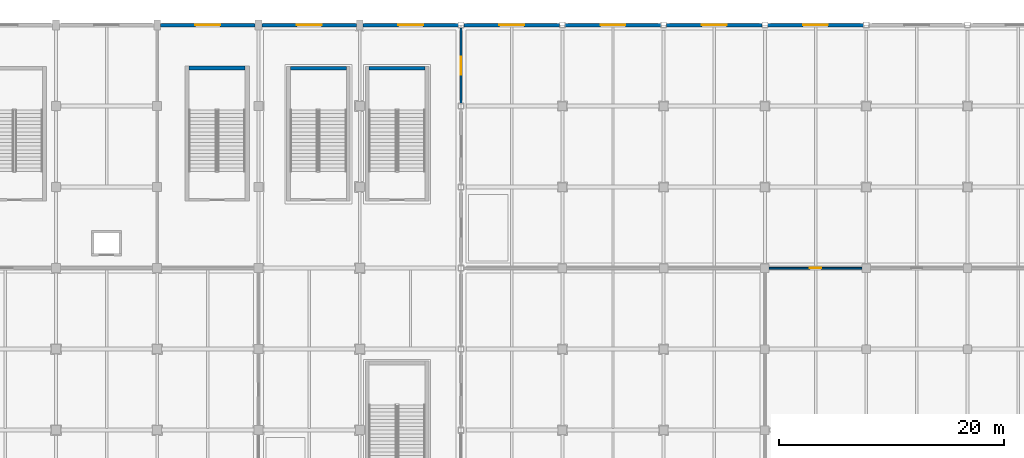
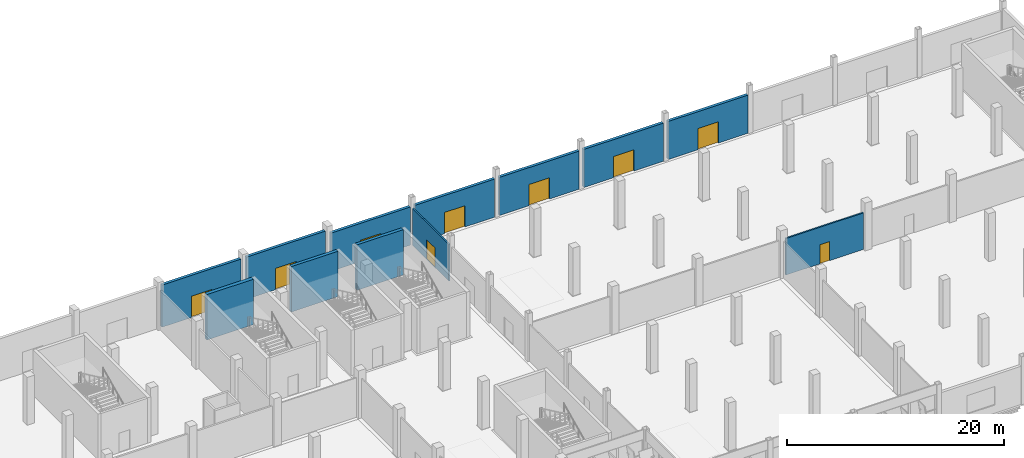
# One storey, part 99 of 137: 12 walls, 9 doors, 9 openings.
"""IFC4 building model written with IfcOpenShell, lengths in metres."""

from ifc_helpers import new_model, si_unit, direction, frame, frame_2d, origin, place, context, subcontext, project, spatial, rectangle, extrude, material, layer, layer_set, type_object, element, fill, save


model = new_model("IFC4")

# Units and contexts
model_context = context("Model", 3, precision=1e-05, world=origin(), true_north=direction((0.0, 1.0)))
body_context = subcontext(model_context, "Body", "Model", "MODEL_VIEW")
ifc_project = project(units=[si_unit("LENGTHUNIT", "METRE"), si_unit("AREAUNIT", "SQUARE_METRE"), si_unit("VOLUMEUNIT", "CUBIC_METRE"), si_unit("PLANEANGLEUNIT", "RADIAN"), si_unit("MASSUNIT", "GRAM", prefix="KILO")], contexts=[model_context])

# Site, building, storey
site_placement = place(None, origin())
site = spatial("IfcSite", under=ifc_project, at=site_placement, CompositionType="ELEMENT")
building_placement = place(site_placement, origin())
building = spatial("IfcBuilding", under=site, at=building_placement, Name="Celestram Park Convention Centre", CompositionType="ELEMENT")
storey_placement = place(building_placement, origin())
storey = spatial("IfcBuildingStorey", under=building, at=storey_placement, Name="L00", CompositionType="ELEMENT", Elevation=0.0)

# Wall, opening, door
ifc_material_1 = material(Name="Precast Concrete C40/50", Category="concrete")
ifc_layer_1 = layer(ifc_material_1, 0.300048828125)
ifc_layer_set_1 = layer_set([ifc_layer_1], Name="Precast Concrete C40/50")
wall_type_1 = type_object("IfcWallType", Name="ARC-WL-EXT300", PredefinedType="STANDARD", material=ifc_layer_set_1)
wall_1_placement = place(storey_placement, frame((126.298095703125, 165.60009765625, 0.0), z_axis=(0.0, 0.0, 1.0), x_axis=(1.0, 0.0, 0.0)))
wall_1 = element("IfcWall", 1, at=wall_1_placement, inside=storey, type_object=wall_type_1, Name="Bush-hammered precast exterior wall WL-L00-EW035", PredefinedType="STANDARD", context=body_context, shape_type="SweptSolid", body=[
    extrude(rectangle(XDim=8.40380859375, YDim=0.300048828125, at=frame_2d((4.201904296875, 0.0))), origin(), (0.0, 0.0, 1.0), 4.7470703125),
])
opening_1_placement = place(wall_1_placement, frame((3.10205078125, 0.0, 0.0)))
opening_1 = element("IfcOpeningElement", 2, at=opening_1_placement, cuts=wall_1, Name="Opening D-EX1", PredefinedType="OPENING", context=body_context, shape_type="SweptSolid", body=[
    extrude(rectangle(XDim=2.199951171875, YDim=2.39990234375, at=frame_2d((1.10009765625, 1.199951171875))), frame((0.0, 0.159912109375, 0.0), z_axis=(0.0, -1.0, 0.0), x_axis=(1.0, 0.0, 0.0)), (0.0, 0.0, 1.0), 0.320068359375),
])
ifc_material_2 = material(Name="Anodised Aluminium & Tempered Glass", Category="aluminium")
door_type_1 = type_object("IfcDoorType", Name="ARC-DR-EX2200", OperationType="NOTDEFINED", PredefinedType="DOOR", material=ifc_material_2)
door_1_placement = place(opening_1_placement, origin())
door_1 = element("IfcDoor", 3, at=door_1_placement, inside=storey, type_object=door_type_1, Name="Ground egress exit door DR-L00-EX34", OperationType="DOUBLE_DOOR_SINGLE_SWING", OverallHeight=2.39990234375, OverallWidth=2.199951171875, PredefinedType="DOOR", context=body_context, shape_type="SweptSolid", body=[
    extrude(rectangle(XDim=2.199951171875, YDim=2.39990234375, at=frame_2d((1.10009765625, 1.199951171875))), frame((0.0, 0.02490234375, 0.0), z_axis=(0.0, -1.0, 0.0), x_axis=(1.0, 0.0, 0.0)), (0.0, 0.0, 1.0), 0.050048828125),
])
fill(opening_1, door_1)

wall_2_placement = place(storey_placement, frame((135.298095703125, 165.60009765625, 0.0), z_axis=(0.0, 0.0, 1.0), x_axis=(1.0, 0.0, 0.0)))
wall_2 = element("IfcWall", 4, at=wall_2_placement, inside=storey, type_object=wall_type_1, Name="Bush-hammered precast exterior wall WL-L00-EW036", PredefinedType="STANDARD", context=body_context, shape_type="SweptSolid", body=[
    extrude(rectangle(XDim=8.40380859375, YDim=0.300048828125, at=frame_2d((4.201904296875, 0.0))), origin(), (0.0, 0.0, 1.0), 4.7470703125),
])
opening_2_placement = place(wall_2_placement, frame((3.10205078125, 0.0, 0.0)))
opening_2 = element("IfcOpeningElement", 5, at=opening_2_placement, cuts=wall_2, Name="Opening D-EX1", PredefinedType="OPENING", context=body_context, shape_type="SweptSolid", body=[
    extrude(rectangle(XDim=2.199951171875, YDim=2.39990234375, at=frame_2d((1.10009765625, 1.199951171875))), frame((0.0, 0.159912109375, 0.0), z_axis=(0.0, -1.0, 0.0), x_axis=(1.0, 0.0, 0.0)), (0.0, 0.0, 1.0), 0.320068359375),
])
door_2_placement = place(opening_2_placement, origin())
door_2 = element("IfcDoor", 6, at=door_2_placement, inside=storey, type_object=door_type_1, Name="Ground egress exit door DR-L00-EX35", OperationType="DOUBLE_DOOR_SINGLE_SWING", OverallHeight=2.39990234375, OverallWidth=2.199951171875, PredefinedType="DOOR", context=body_context, shape_type="SweptSolid", body=[
    extrude(rectangle(XDim=2.199951171875, YDim=2.39990234375, at=frame_2d((1.10009765625, 1.199951171875))), frame((0.0, 0.02490234375, 0.0), z_axis=(0.0, -1.0, 0.0), x_axis=(1.0, 0.0, 0.0)), (0.0, 0.0, 1.0), 0.050048828125),
])
fill(opening_2, door_2)

wall_3_placement = place(storey_placement, frame((144.298095703125, 165.60009765625, 0.0), z_axis=(0.0, 0.0, 1.0), x_axis=(1.0, 0.0, 0.0)))
wall_3 = element("IfcWall", 7, at=wall_3_placement, inside=storey, type_object=wall_type_1, Name="Bush-hammered precast exterior wall WL-L00-EW037", PredefinedType="STANDARD", context=body_context, shape_type="SweptSolid", body=[
    extrude(rectangle(XDim=8.453857421875, YDim=0.300048828125, at=frame_2d((4.22705078125, 0.0))), origin(), (0.0, 0.0, 1.0), 4.297119140625),
])
opening_3_placement = place(wall_3_placement, frame((3.126953125, 0.0, 0.0)))
opening_3 = element("IfcOpeningElement", 8, at=opening_3_placement, cuts=wall_3, Name="Opening D-EX1", PredefinedType="OPENING", context=body_context, shape_type="SweptSolid", body=[
    extrude(rectangle(XDim=2.199951171875, YDim=2.39990234375, at=frame_2d((1.10009765625, 1.199951171875))), frame((0.0, 0.159912109375, 0.0), z_axis=(0.0, -1.0, 0.0), x_axis=(1.0, 0.0, 0.0)), (0.0, 0.0, 1.0), 0.320068359375),
])
door_3_placement = place(opening_3_placement, origin())
door_3 = element("IfcDoor", 9, at=door_3_placement, inside=storey, type_object=door_type_1, Name="Ground egress exit door DR-L00-EX36", OperationType="DOUBLE_DOOR_SINGLE_SWING", OverallHeight=2.39990234375, OverallWidth=2.199951171875, PredefinedType="DOOR", context=body_context, shape_type="SweptSolid", body=[
    extrude(rectangle(XDim=2.199951171875, YDim=2.39990234375, at=frame_2d((1.10009765625, 1.199951171875))), frame((0.0, 0.02490234375, 0.0), z_axis=(0.0, -1.0, 0.0), x_axis=(1.0, 0.0, 0.0)), (0.0, 0.0, 1.0), 0.050048828125),
])
fill(opening_3, door_3)

wall_4_placement = place(storey_placement, frame((153.248046875, 165.60009765625, 0.0), z_axis=(0.0, 0.0, 1.0), x_axis=(1.0, 0.0, 0.0)))
wall_4 = element("IfcWall", 10, at=wall_4_placement, inside=storey, type_object=wall_type_1, Name="Bush-hammered precast exterior wall WL-L00-EW038", PredefinedType="STANDARD", context=body_context, shape_type="SweptSolid", body=[
    extrude(rectangle(XDim=8.50390625, YDim=0.300048828125, at=frame_2d((4.251953125, 0.0))), origin(), (0.0, 0.0, 1.0), 4.297119140625),
])
opening_4_placement = place(wall_4_placement, frame((3.152099609375, 0.0, 0.0)))
opening_4 = element("IfcOpeningElement", 11, at=opening_4_placement, cuts=wall_4, Name="Opening D-EX1", PredefinedType="OPENING", context=body_context, shape_type="SweptSolid", body=[
    extrude(rectangle(XDim=2.199951171875, YDim=2.39990234375, at=frame_2d((1.10009765625, 1.199951171875))), frame((0.0, 0.159912109375, 0.0), z_axis=(0.0, -1.0, 0.0), x_axis=(1.0, 0.0, 0.0)), (0.0, 0.0, 1.0), 0.320068359375),
])
door_4_placement = place(opening_4_placement, origin())
door_4 = element("IfcDoor", 12, at=door_4_placement, inside=storey, type_object=door_type_1, Name="Ground egress exit door DR-L00-EX37", OperationType="DOUBLE_DOOR_SINGLE_SWING", OverallHeight=2.39990234375, OverallWidth=2.199951171875, PredefinedType="DOOR", context=body_context, shape_type="SweptSolid", body=[
    extrude(rectangle(XDim=2.199951171875, YDim=2.39990234375, at=frame_2d((1.10009765625, 1.199951171875))), frame((0.0, 0.02490234375, 0.0), z_axis=(0.0, -1.0, 0.0), x_axis=(1.0, 0.0, 0.0)), (0.0, 0.0, 1.0), 0.050048828125),
])
fill(opening_4, door_4)

wall_5_placement = place(storey_placement, frame((162.248046875, 165.60009765625, 0.0), z_axis=(0.0, 0.0, 1.0), x_axis=(1.0, 0.0, 0.0)))
wall_5 = element("IfcWall", 13, at=wall_5_placement, inside=storey, type_object=wall_type_1, Name="Bush-hammered precast exterior wall WL-L00-EW039", PredefinedType="STANDARD", context=body_context, shape_type="SweptSolid", body=[
    extrude(rectangle(XDim=8.50390625, YDim=0.300048828125, at=frame_2d((4.251953125, 0.0))), origin(), (0.0, 0.0, 1.0), 4.297119140625),
])
opening_5_placement = place(wall_5_placement, frame((3.152099609375, 0.0, 0.0)))
opening_5 = element("IfcOpeningElement", 14, at=opening_5_placement, cuts=wall_5, Name="Opening D-EX1", PredefinedType="OPENING", context=body_context, shape_type="SweptSolid", body=[
    extrude(rectangle(XDim=2.199951171875, YDim=2.39990234375, at=frame_2d((1.10009765625, 1.199951171875))), frame((0.0, 0.159912109375, 0.0), z_axis=(0.0, -1.0, 0.0), x_axis=(1.0, 0.0, 0.0)), (0.0, 0.0, 1.0), 0.320068359375),
])
door_5_placement = place(opening_5_placement, origin())
door_5 = element("IfcDoor", 15, at=door_5_placement, inside=storey, type_object=door_type_1, Name="Ground egress exit door DR-L00-EX38", OperationType="DOUBLE_DOOR_SINGLE_SWING", OverallHeight=2.39990234375, OverallWidth=2.199951171875, PredefinedType="DOOR", context=body_context, shape_type="SweptSolid", body=[
    extrude(rectangle(XDim=2.199951171875, YDim=2.39990234375, at=frame_2d((1.10009765625, 1.199951171875))), frame((0.0, 0.02490234375, 0.0), z_axis=(0.0, -1.0, 0.0), x_axis=(1.0, 0.0, 0.0)), (0.0, 0.0, 1.0), 0.050048828125),
])
fill(opening_5, door_5)

wall_6_placement = place(storey_placement, frame((171.248046875, 165.60009765625, 0.0), z_axis=(0.0, 0.0, 1.0), x_axis=(1.0, 0.0, 0.0)))
wall_6 = element("IfcWall", 16, at=wall_6_placement, inside=storey, type_object=wall_type_1, Name="Bush-hammered precast exterior wall WL-L00-EW040", PredefinedType="STANDARD", context=body_context, shape_type="SweptSolid", body=[
    extrude(rectangle(XDim=8.50390625, YDim=0.300048828125, at=frame_2d((4.251953125, 0.0))), origin(), (0.0, 0.0, 1.0), 4.297119140625),
])
opening_6_placement = place(wall_6_placement, frame((3.152099609375, 0.0, 0.0)))
opening_6 = element("IfcOpeningElement", 17, at=opening_6_placement, cuts=wall_6, Name="Opening D-EX1", PredefinedType="OPENING", context=body_context, shape_type="SweptSolid", body=[
    extrude(rectangle(XDim=2.199951171875, YDim=2.39990234375, at=frame_2d((1.10009765625, 1.199951171875))), frame((0.0, 0.159912109375, 0.0), z_axis=(0.0, -1.0, 0.0), x_axis=(1.0, 0.0, 0.0)), (0.0, 0.0, 1.0), 0.320068359375),
])
door_6_placement = place(opening_6_placement, origin())
door_6 = element("IfcDoor", 18, at=door_6_placement, inside=storey, type_object=door_type_1, Name="Ground egress exit door DR-L00-EX39", OperationType="DOUBLE_DOOR_SINGLE_SWING", OverallHeight=2.39990234375, OverallWidth=2.199951171875, PredefinedType="DOOR", context=body_context, shape_type="SweptSolid", body=[
    extrude(rectangle(XDim=2.199951171875, YDim=2.39990234375, at=frame_2d((1.10009765625, 1.199951171875))), frame((0.0, 0.02490234375, 0.0), z_axis=(0.0, -1.0, 0.0), x_axis=(1.0, 0.0, 0.0)), (0.0, 0.0, 1.0), 0.050048828125),
])
fill(opening_6, door_6)

wall_7_placement = place(storey_placement, frame((180.248046875, 165.60009765625, 0.0), z_axis=(0.0, 0.0, 1.0), x_axis=(1.0, 0.0, 0.0)))
wall_7 = element("IfcWall", 19, at=wall_7_placement, inside=storey, type_object=wall_type_1, Name="Bush-hammered precast exterior wall WL-L00-EW041", PredefinedType="STANDARD", context=body_context, shape_type="SweptSolid", body=[
    extrude(rectangle(XDim=8.50390625, YDim=0.300048828125, at=frame_2d((4.251953125, 0.0))), origin(), (0.0, 0.0, 1.0), 4.297119140625),
])
opening_7_placement = place(wall_7_placement, frame((3.152099609375, 0.0, 0.0)))
opening_7 = element("IfcOpeningElement", 20, at=opening_7_placement, cuts=wall_7, Name="Opening D-EX1", PredefinedType="OPENING", context=body_context, shape_type="SweptSolid", body=[
    extrude(rectangle(XDim=2.199951171875, YDim=2.39990234375, at=frame_2d((1.10009765625, 1.199951171875))), frame((0.0, 0.159912109375, 0.0), z_axis=(0.0, -1.0, 0.0), x_axis=(1.0, 0.0, 0.0)), (0.0, 0.0, 1.0), 0.320068359375),
])
door_7_placement = place(opening_7_placement, origin())
door_7 = element("IfcDoor", 21, at=door_7_placement, inside=storey, type_object=door_type_1, Name="Ground egress exit door DR-L00-EX40", OperationType="DOUBLE_DOOR_SINGLE_SWING", OverallHeight=2.39990234375, OverallWidth=2.199951171875, PredefinedType="DOOR", context=body_context, shape_type="SweptSolid", body=[
    extrude(rectangle(XDim=2.199951171875, YDim=2.39990234375, at=frame_2d((1.10009765625, 1.199951171875))), frame((0.0, 0.02490234375, 0.0), z_axis=(0.0, -1.0, 0.0), x_axis=(1.0, 0.0, 0.0)), (0.0, 0.0, 1.0), 0.050048828125),
])
fill(opening_7, door_7)

ifc_material_3 = material(Name="Acoustic Gypsum & Steel Stud 160 mm", Category="steel")
ifc_layer_2 = layer(ifc_material_3, 0.159912109375)
ifc_layer_set_2 = layer_set([ifc_layer_2], Name="Acoustic Gypsum & Steel Stud 160 mm")
wall_type_2 = type_object("IfcWallType", Name="ARC-WL-PRT160", PredefinedType="PARTITIONING", material=ifc_layer_set_2)
wall_8_placement = place(storey_placement, frame((180.373046875, 144.0, 0.0), z_axis=(0.0, 0.0, 1.0), x_axis=(1.0, 0.0, 0.0)))
wall_8 = element("IfcWall", 22, at=wall_8_placement, inside=storey, type_object=wall_type_2, Name="Interior partition WL-L00-IN0602", PredefinedType="PARTITIONING", context=body_context, shape_type="SweptSolid", body=[
    extrude(rectangle(XDim=8.25390625, YDim=0.159912109375, at=frame_2d((4.126953125, 0.0))), origin(), (0.0, 0.0, 1.0), 4.1240234375),
])
opening_8_placement = place(wall_8_placement, frame((3.60205078125, 0.0, 0.0)))
opening_8 = element("IfcOpeningElement", 23, at=opening_8_placement, cuts=wall_8, Name="Opening D-06", PredefinedType="OPENING", context=body_context, shape_type="SweptSolid", body=[
    extrude(rectangle(XDim=1.050048828125, YDim=2.14990234375, at=frame_2d((0.52490234375, 1.074951171875))), frame((0.0, 0.08984375, 0.0), z_axis=(0.0, -1.0, 0.0), x_axis=(1.0, 0.0, 0.0)), (0.0, 0.0, 1.0), 0.179931640625),
])
ifc_material_4 = material(Name="Solid Core White Oak Single Door", Category="wood")
door_type_2 = type_object("IfcDoorType", Name="ARC-DR-RM105", OperationType="NOTDEFINED", PredefinedType="DOOR", material=ifc_material_4)
door_8_placement = place(opening_8_placement, origin())
door_8 = element("IfcDoor", 24, at=door_8_placement, inside=storey, type_object=door_type_2, Name="Broadcast Control Studio entrance door", OperationType="SINGLE_SWING_RIGHT", OverallHeight=2.14990234375, OverallWidth=1.050048828125, PredefinedType="DOOR", context=body_context, shape_type="SweptSolid", body=[
    extrude(rectangle(XDim=1.050048828125, YDim=2.14990234375, at=frame_2d((0.52490234375, 1.074951171875))), frame((0.0, 0.02490234375, 0.0), z_axis=(0.0, -1.0, 0.0), x_axis=(1.0, 0.0, 0.0)), (0.0, 0.0, 1.0), 0.050048828125),
])
fill(opening_8, door_8)

wall_9_placement = place(storey_placement, frame((153.0, 158.64794921875, 0.0), z_axis=(0.0, 0.0, 1.0), x_axis=(0.0, 1.0, 0.0)))
wall_9 = element("IfcWall", 25, at=wall_9_placement, inside=storey, type_object=wall_type_2, Name="Interior partition WL-L00-IN0677", PredefinedType="PARTITIONING", context=body_context, shape_type="SweptSolid", body=[
    extrude(rectangle(XDim=6.7041015625, YDim=0.159912109375, at=frame_2d((3.35205078125, 0.0))), origin(), (0.0, 0.0, 1.0), 4.1240234375),
])
opening_9_placement = place(wall_9_placement, frame((2.552001953125, 0.0, 0.0)))
opening_9 = element("IfcOpeningElement", 26, at=opening_9_placement, cuts=wall_9, Name="Opening D-05", PredefinedType="OPENING", context=body_context, shape_type="SweptSolid", body=[
    extrude(rectangle(XDim=1.60009765625, YDim=2.199951171875, at=frame_2d((0.800048828125, 1.10009765625))), frame((0.0, 0.08984375, 0.0), z_axis=(0.0, -1.0, 0.0), x_axis=(1.0, 0.0, 0.0)), (0.0, 0.0, 1.0), 0.179931640625),
])
ifc_material_5 = material(Name="Solid White Oak Double Door", Category="wood")
door_type_3 = type_object("IfcDoorType", Name="ARC-DR-MTG160", OperationType="NOTDEFINED", PredefinedType="DOOR", material=ifc_material_5)
door_9_placement = place(opening_9_placement, origin())
door_9 = element("IfcDoor", 27, at=door_9_placement, inside=storey, type_object=door_type_3, Name="Keynote VIP Briefing Room entrance door", OperationType="DOUBLE_DOOR_SINGLE_SWING", OverallHeight=2.199951171875, OverallWidth=1.60009765625, PredefinedType="DOOR", context=body_context, shape_type="SweptSolid", body=[
    extrude(rectangle(XDim=1.60009765625, YDim=2.199951171875, at=frame_2d((0.800048828125, 1.10009765625))), frame((0.0, 0.02490234375, 0.0), z_axis=(0.0, -1.0, 0.0), x_axis=(1.0, 0.0, 0.0)), (0.0, 0.0, 1.0), 0.050048828125),
])
fill(opening_9, door_9)

# Walls
ifc_material_6 = material(Name="Concrete C40/50", Category="concrete")
ifc_layer_3 = layer(ifc_material_6, 0.340087890625)
ifc_layer_set_3 = layer_set([ifc_layer_3], Name="Concrete C40/50")
wall_type_3 = type_object("IfcWallType", Name="STR-WL-SHR340", PredefinedType="SHEAR", material=ifc_layer_set_3)
for number, where, z_axis, x_axis, name in (
    (28, (144.840087890625, 161.77001953125, 0.0), (0.0, 0.0, 1.0), (1.0, 0.0, 0.0), "Core S09 shear wall F"),
    (29, (137.840087890625, 161.77001953125, 0.0), (0.0, 0.0, 1.0), (1.0, 0.0, 0.0), "Core S22 shear wall F"),
):
    element("IfcWall", number, at=place(storey_placement, frame(where, z_axis=z_axis, x_axis=x_axis)), inside=storey, type_object=wall_type_3, Name=name, PredefinedType="SHEAR", context=body_context, shape_type="SweptSolid", body=[
        extrude(rectangle(XDim=4.9599609375, YDim=0.340087890625, at=frame_2d((2.47998046875, 0.0))), origin(), (0.0, 0.0, 1.0), 5.1201171875),
    ])
ifc_layer_4 = layer(ifc_material_6, 0.3798828125)
ifc_layer_set_4 = layer_set([ifc_layer_4], Name="Concrete C40/50")
wall_type_4 = type_object("IfcWallType", Name="STR-WL-SHR380", PredefinedType="SHEAR", material=ifc_layer_set_4)
wall_10_placement = place(storey_placement, frame((128.840087890625, 161.7900390625, 0.0), z_axis=(0.0, 0.0, 1.0), x_axis=(1.0, 0.0, 0.0)))
element("IfcWall", 30, at=wall_10_placement, inside=storey, type_object=wall_type_4, Name="Core C5 shear wall F", PredefinedType="SHEAR", context=body_context, shape_type="SweptSolid", body=[
    extrude(rectangle(XDim=4.9599609375, YDim=0.3798828125, at=frame_2d((2.47998046875, 0.0))), origin(), (0.0, 0.0, 1.0), 5.1201171875),
])

save(model, "model.ifc")
